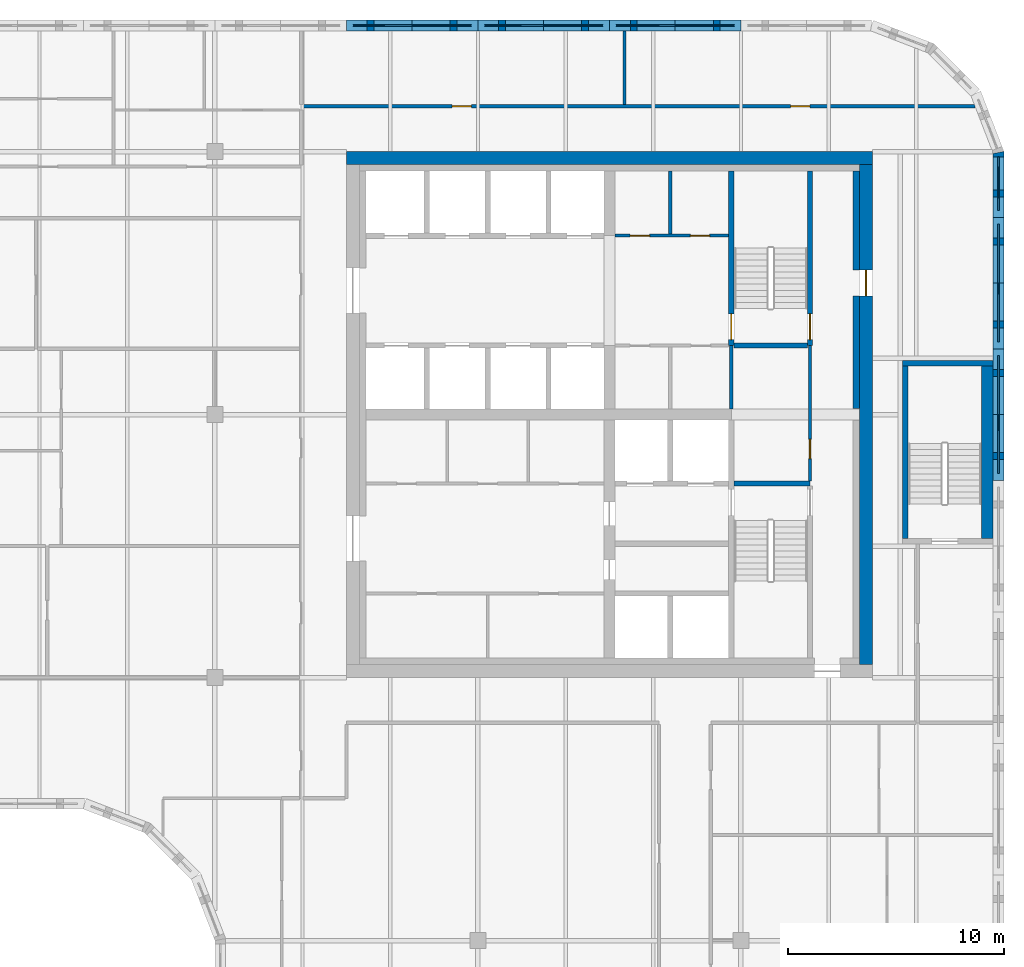
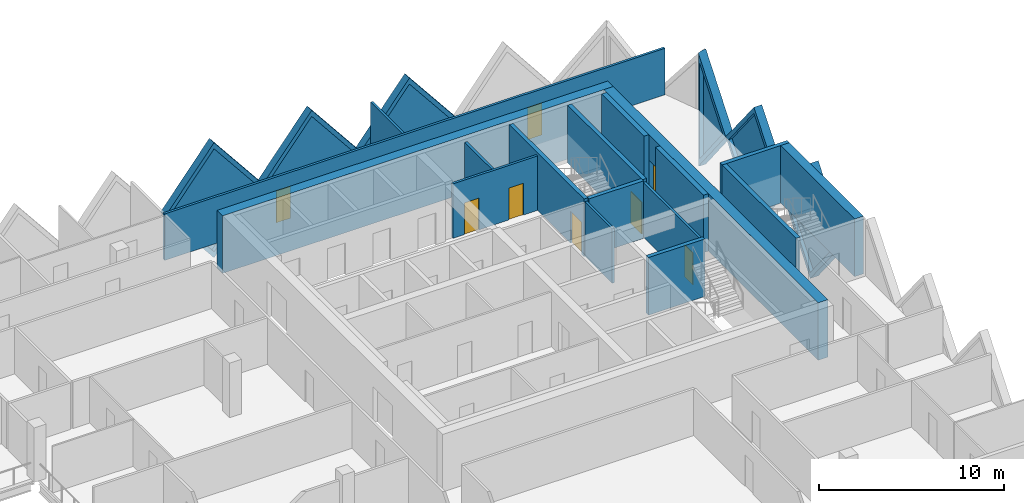
# One storey, part 9 of 11: 23 walls, 8 doors, 6 plates, 14 openings.
"""IFC4 building model written with IfcOpenShell, lengths in metres."""

from ifc_helpers import new_model, si_unit, direction, frame, frame_2d, origin, place, context, subcontext, project, spatial, polyline, rectangle, outline, extrude, faceted_brep, source, transform, mapped, material, layer, layer_set, type_object, element, fill, save


model = new_model("IFC4")

# Units and contexts
model_context = context("Model", 3, precision=1e-05, world=origin(), true_north=direction((0.0, 1.0)))
body_context = subcontext(model_context, "Body", "Model", "MODEL_VIEW")
ifc_project = project(units=[si_unit("LENGTHUNIT", "METRE"), si_unit("AREAUNIT", "SQUARE_METRE"), si_unit("VOLUMEUNIT", "CUBIC_METRE"), si_unit("PLANEANGLEUNIT", "RADIAN"), si_unit("MASSUNIT", "GRAM", prefix="KILO")], contexts=[model_context])

# Site, building, storey
site_placement = place(None, origin())
site = spatial("IfcSite", under=ifc_project, at=site_placement, CompositionType="ELEMENT")
building_placement = place(site_placement, origin())
building = spatial("IfcBuilding", under=site, at=building_placement, Name="Tessera Gate Towers", CompositionType="ELEMENT")
storey_placement = place(building_placement, frame((0.0, 0.0, 174.39990234375)))
storey = spatial("IfcBuildingStorey", under=building, at=storey_placement, Name="L43", CompositionType="ELEMENT", Elevation=174.39990234375)

# Wall
ifc_material_1 = material(Name="Concrete C40/50", Category="concrete")
ifc_layer_1 = layer(ifc_material_1, 0.25)
ifc_layer_set_1 = layer_set([ifc_layer_1], Name="CORE ENCLOSURE WALL 250")
wall_type_1 = type_object("IfcWallType", Name="CORE ENCLOSURE WALL 250", PredefinedType="SOLIDWALL", material=ifc_layer_set_1)
wall_1_placement = place(storey_placement, frame((48.47509765625, 33.39990234375, 0.0), z_axis=(0.0, 0.0, 1.0), x_axis=(1.0, 0.0, 0.0)))
element("IfcWall", 1, at=wall_1_placement, inside=storey, type_object=wall_type_1, Name="L43 shaft and stair enclosure wall", PredefinedType="SOLIDWALL", context=body_context, shape_type="SweptSolid", body=[
    extrude(rectangle(XDim=3.52490234375, YDim=0.25, at=frame_2d((1.762451171875, 0.0))), origin(), (0.0, 0.0, 1.0), 3.800048828125),
])

# Wall, opening, door
wall_2_placement = place(storey_placement, frame((48.35009765625, 47.89990234375, 0.0), z_axis=(0.0, 0.0, 1.0), x_axis=(0.0, -1.0, 0.0)))
wall_2 = element("IfcWall", 2, at=wall_2_placement, inside=storey, type_object=wall_type_1, Name="L43 shaft and stair enclosure wall", PredefinedType="SOLIDWALL", context=body_context, shape_type="SweptSolid", body=[
    extrude(rectangle(XDim=8.099853515625, YDim=0.25, at=frame_2d((4.0498046875, 0.0))), origin(), (0.0, 0.0, 1.0), 3.800048828125),
])
shared_shape_1 = source(origin(), body_context, "Body", "SweptSolid", [
    extrude(rectangle(XDim=1.199951171875, YDim=2.10009765625, at=frame_2d((0.60009765625, 1.050048828125))), frame((0.0, 0.135009765625, 0.0), z_axis=(0.0, -1.0, 0.0), x_axis=(1.0, 0.0, 0.0)), (0.0, 0.0, 1.0), 0.27001953125),
])
opening_1_placement = place(wall_2_placement, frame((6.625, 0.0, 0.0)))
opening_1 = element("IfcOpeningElement", 3, at=opening_1_placement, cuts=wall_2, Name="Opening SD-ST2-1", PredefinedType="OPENING", context=body_context, shape_type="MappedRepresentation", body=[
    mapped(shared_shape_1, transform((0.0, 0.0, 0.0), scale=1.0)),
])
ifc_material_2 = material(Name="Hollow steel fire door", Category="steel")
door_type_1 = type_object("IfcDoorType", Name="CORE DOOR SD 1200x2100", OperationType="NOTDEFINED", PredefinedType="DOOR", material=ifc_material_2)
shared_shape_2 = source(origin(), body_context, "Body", "SweptSolid", [
    extrude(rectangle(XDim=1.199951171875, YDim=2.10009765625, at=frame_2d((0.60009765625, 1.050048828125))), frame((0.0, 0.02490234375, 0.0), z_axis=(0.0, -1.0, 0.0), x_axis=(1.0, 0.0, 0.0)), (0.0, 0.0, 1.0), 0.050048828125),
])
door_1_placement = place(opening_1_placement, origin())
door_1 = element("IfcDoor", 4, at=door_1_placement, inside=storey, type_object=door_type_1, Name="Stair door", OperationType="SINGLE_SWING_RIGHT", OverallHeight=2.10009765625, OverallWidth=1.199951171875, PredefinedType="DOOR", context=body_context, shape_type="MappedRepresentation", body=[
    mapped(shared_shape_2, transform((0.0, 0.0, 0.0), scale=1.0)),
])
fill(opening_1, door_1)

wall_3_placement = place(storey_placement, frame((52.0, 39.800048828125, 0.0), z_axis=(0.0, 0.0, 1.0), x_axis=(0.0, 1.0, 0.0)))
wall_3 = element("IfcWall", 5, at=wall_3_placement, inside=storey, type_object=wall_type_1, Name="L43 shaft and stair enclosure wall", PredefinedType="SOLIDWALL", context=body_context, shape_type="SweptSolid", body=[
    extrude(rectangle(XDim=8.099853515625, YDim=0.25, at=frame_2d((4.0498046875, 0.0))), origin(), (0.0, 0.0, 1.0), 3.800048828125),
])
opening_2_placement = place(wall_3_placement, frame((0.27490234375, 0.0, 0.0)))
opening_2 = element("IfcOpeningElement", 6, at=opening_2_placement, cuts=wall_3, Name="Opening SD-ST2-2", PredefinedType="OPENING", context=body_context, shape_type="MappedRepresentation", body=[
    mapped(shared_shape_1, transform((0.0, 0.0, 0.0), scale=1.0)),
])
door_2_placement = place(opening_2_placement, origin())
door_2 = element("IfcDoor", 7, at=door_2_placement, inside=storey, type_object=door_type_1, Name="Stair door", OperationType="SINGLE_SWING_LEFT", OverallHeight=2.10009765625, OverallWidth=1.199951171875, PredefinedType="DOOR", context=body_context, shape_type="MappedRepresentation", body=[
    mapped(shared_shape_2, transform((0.0, 0.0, 0.0), scale=1.0)),
])
fill(opening_2, door_2)

# Walls
wall_4_placement = place(storey_placement, frame((48.47509765625, 39.800048828125, 0.0), z_axis=(0.0, 0.0, 1.0), x_axis=(1.0, 0.0, 0.0)))
element("IfcWall", 8, at=wall_4_placement, inside=storey, type_object=wall_type_1, Name="L43 shaft and stair enclosure wall", PredefinedType="SOLIDWALL", context=body_context, shape_type="SweptSolid", body=[
    extrude(rectangle(XDim=3.39990234375, YDim=0.25, at=frame_2d((1.699951171875, 0.0))), origin(), (0.0, 0.0, 1.0), 3.800048828125),
])
wall_5_placement = place(storey_placement, frame((56.425048828125, 30.85009765625, 0.0), z_axis=(0.0, 0.0, 1.0), x_axis=(0.0, 1.0, 0.0)))
element("IfcWall", 9, at=wall_5_placement, inside=storey, type_object=wall_type_1, Name="L43 ST5 enclosure wall", PredefinedType="SOLIDWALL", context=body_context, shape_type="SweptSolid", body=[
    extrude(rectangle(XDim=8.0, YDim=0.25, at=frame_2d((4.0, 0.0))), origin(), (0.0, 0.0, 1.0), 3.800048828125),
])
wall_6_placement = place(storey_placement, frame((56.300048828125, 38.97509765625, 0.0), z_axis=(0.0, 0.0, 1.0), x_axis=(1.0, 0.0, 0.0)))
element("IfcWall", 10, at=wall_6_placement, inside=storey, type_object=wall_type_1, Name="L43 ST5 enclosure wall", PredefinedType="SOLIDWALL", context=body_context, shape_type="SweptSolid", body=[
    extrude(rectangle(XDim=4.199951171875, YDim=0.25, at=frame_2d((2.10009765625, 0.0))), origin(), (0.0, 0.0, 1.0), 3.800048828125),
])
ifc_material_3 = material(Name="Concrete C40/50", Category="concrete")
ifc_layer_2 = layer(ifc_material_3, 0.550048828125)
ifc_layer_set_2 = layer_set([ifc_layer_2], Name="CORE ENCLOSURE WALL 550")
wall_type_2 = type_object("IfcWallType", Name="CORE ENCLOSURE WALL 550", PredefinedType="SOLIDWALL", material=ifc_layer_set_2)
wall_7_placement = place(storey_placement, frame((60.22509765625, 38.85009765625, 0.0), z_axis=(0.0, 0.0, 1.0), x_axis=(0.0, -1.0, 0.0)))
element("IfcWall", 11, at=wall_7_placement, inside=storey, type_object=wall_type_2, Name="L43 ST5 enclosure wall", PredefinedType="SOLIDWALL", context=body_context, shape_type="SweptSolid", body=[
    extrude(rectangle(XDim=8.0, YDim=0.550048828125, at=frame_2d((4.0, 0.0))), origin(), (0.0, 0.0, 1.0), 3.800048828125),
])
ifc_material_4 = material(Name="Concrete C50/60", Category="concrete")
ifc_layer_3 = layer(ifc_material_4, 0.60009765625)
ifc_layer_set_3 = layer_set([ifc_layer_3], Name="CORE SHEAR WALL 600 C50/60")
wall_type_3 = type_object("IfcWallType", Name="CORE SHEAR WALL 600 C50/60", PredefinedType="SHEAR", material=ifc_layer_set_3)
wall_8_placement = place(storey_placement, frame((30.5, 48.5, 0.0), z_axis=(0.0, 0.0, 1.0), x_axis=(1.0, 0.0, 0.0)))
element("IfcWall", 12, at=wall_8_placement, inside=storey, type_object=wall_type_3, Name="Core wall N L43", PredefinedType="SHEAR", context=body_context, shape_type="SweptSolid", body=[
    extrude(rectangle(XDim=24.39990234375, YDim=0.60009765625, at=frame_2d((12.199951171875, 0.0))), origin(), (0.0, 0.0, 1.0), 3.800048828125),
])

# Wall, opening, door
wall_9_placement = place(storey_placement, frame((54.60009765625, 48.199951171875, 0.0), z_axis=(0.0, 0.0, 1.0), x_axis=(0.0, -1.0, 0.0)))
wall_9 = element("IfcWall", 13, at=wall_9_placement, inside=storey, type_object=wall_type_3, Name="Core wall E L43", PredefinedType="SHEAR", context=body_context, shape_type="SweptSolid", body=[
    extrude(rectangle(XDim=23.199951171875, YDim=0.60009765625, at=frame_2d((11.60009765625, 0.0))), origin(), (0.0, 0.0, 1.0), 3.800048828125),
])
shared_shape_3 = source(origin(), body_context, "Body", "SweptSolid", [
    extrude(rectangle(XDim=1.199951171875, YDim=2.10009765625, at=frame_2d((0.60009765625, 1.050048828125))), frame((0.0, 0.31005859375, 0.0), z_axis=(0.0, -1.0, 0.0), x_axis=(1.0, 0.0, 0.0)), (0.0, 0.0, 1.0), 0.6201171875),
])
opening_3_placement = place(wall_9_placement, frame((4.89990234375, 0.0, 0.0)))
opening_3 = element("IfcOpeningElement", 14, at=opening_3_placement, cuts=wall_9, Name="Opening ED-T1-27-04", PredefinedType="OPENING", context=body_context, shape_type="MappedRepresentation", body=[
    mapped(shared_shape_3, transform((0.0, 0.0, 0.0), scale=1.0)),
])
ifc_material_5 = material(Name="Hollow steel fire door", Category="steel")
door_type_2 = type_object("IfcDoorType", Name="CORE DOOR ED 1200x2100", OperationType="NOTDEFINED", PredefinedType="DOOR", material=ifc_material_5)
door_3_placement = place(opening_3_placement, origin())
door_3 = element("IfcDoor", 15, at=door_3_placement, inside=storey, type_object=door_type_2, Name="Core exit door", OperationType="SINGLE_SWING_LEFT", OverallHeight=2.10009765625, OverallWidth=1.199951171875, PredefinedType="DOOR", context=body_context, shape_type="MappedRepresentation", body=[
    mapped(shared_shape_2, transform((0.0, 0.0, 0.0), scale=1.0)),
])
fill(opening_3, door_3)

# Walls
ifc_material_6 = material(Name="Concrete C50/60", Category="concrete")
ifc_layer_4 = layer(ifc_material_6, 0.300048828125)
ifc_layer_set_4 = layer_set([ifc_layer_4], Name="CORE WALL THICKENING 300")
wall_type_4 = type_object("IfcWallType", Name="CORE WALL THICKENING 300", PredefinedType="SOLIDWALL", material=ifc_layer_set_4)
wall_10_placement = place(storey_placement, frame((54.14990234375, 36.8798828125, 0.0), z_axis=(0.0, 0.0, 1.0), x_axis=(0.0, 1.0, 0.0)))
element("IfcWall", 16, at=wall_10_placement, inside=storey, type_object=wall_type_4, Name="Core wall thickening E L43", PredefinedType="SOLIDWALL", context=body_context, shape_type="SweptSolid", body=[
    extrude(rectangle(XDim=5.22021484375, YDim=0.300048828125, at=frame_2d((2.610107421875, 0.0))), origin(), (0.0, 0.0, 1.0), 3.800048828125),
])
wall_11_placement = place(storey_placement, frame((54.14990234375, 43.300048828125, 0.0), z_axis=(0.0, 0.0, 1.0), x_axis=(0.0, 1.0, 0.0)))
element("IfcWall", 17, at=wall_11_placement, inside=storey, type_object=wall_type_4, Name="Core wall thickening E L43", PredefinedType="SOLIDWALL", context=body_context, shape_type="SweptSolid", body=[
    extrude(rectangle(XDim=4.599853515625, YDim=0.300048828125, at=frame_2d((2.2998046875, 0.0))), origin(), (0.0, 0.0, 1.0), 3.800048828125),
])

# Wall, openings, doors
ifc_material_7 = material(Name="Gypsum board on steel studs, mineral wool", Category="steel")
ifc_layer_5 = layer(ifc_material_7, 0.14990234375)
ifc_layer_set_5 = layer_set([ifc_layer_5], Name="CORRIDOR WALL 150")
wall_type_5 = type_object("IfcWallType", Name="CORRIDOR WALL 150", PredefinedType="PARTITIONING", material=ifc_layer_set_5)
wall_12_placement = place(storey_placement, frame((28.39990234375, 50.89990234375, 0.0), z_axis=(0.0, 0.0, 1.0), x_axis=(1.0, 0.0, 0.0)))
wall_12 = element("IfcWall", 18, at=wall_12_placement, inside=storey, type_object=wall_type_5, Name="T1-L43-PW-047", PredefinedType="PARTITIONING", context=body_context, shape_type="SweptSolid", body=[
    extrude(rectangle(XDim=31.254150390625, YDim=0.14990234375, at=frame_2d((15.626953125, 0.0))), origin(), (0.0, 0.0, 1.0), 3.067138671875),
])
shared_shape_4 = source(origin(), body_context, "Body", "SweptSolid", [
    extrude(rectangle(XDim=0.89990234375, YDim=2.10009765625, at=frame_2d((0.449951171875, 1.050048828125))), frame((0.0, 0.0849609375, 0.0), z_axis=(0.0, -1.0, 0.0), x_axis=(1.0, 0.0, 0.0)), (0.0, 0.0, 1.0), 0.169921875),
])
opening_4_placement = place(wall_12_placement, frame((7.0, 0.0, 0.0)))
opening_4 = element("IfcOpeningElement", 19, at=opening_4_placement, cuts=wall_12, Name="Opening D890FD60-A15-11", PredefinedType="OPENING", context=body_context, shape_type="MappedRepresentation", body=[
    mapped(shared_shape_4, transform((0.0, 0.0, 0.0), scale=1.0)),
])
opening_5_placement = place(wall_12_placement, frame((22.699951171875, 0.0, 0.0)))
opening_5 = element("IfcOpeningElement", 20, at=opening_5_placement, cuts=wall_12, Name="Opening D890FD60-A15-12", PredefinedType="OPENING", context=body_context, shape_type="MappedRepresentation", body=[
    mapped(shared_shape_4, transform((0.0, 0.0, 0.0), scale=1.0)),
])
ifc_material_8 = material(Name="Timber door leaf in steel frame", Category="steel")
door_type_3 = type_object("IfcDoorType", Name="CORRIDOR DOOR 900 FD60", OperationType="NOTDEFINED", PredefinedType="DOOR", material=ifc_material_8)
shared_shape_5 = source(origin(), body_context, "Body", "SweptSolid", [
    extrude(rectangle(XDim=0.89990234375, YDim=2.10009765625, at=frame_2d((0.449951171875, 1.050048828125))), frame((0.0, 0.02490234375, 0.0), z_axis=(0.0, -1.0, 0.0), x_axis=(1.0, 0.0, 0.0)), (0.0, 0.0, 1.0), 0.050048828125),
])
door_4_placement = place(opening_4_placement, origin())
door_4 = element("IfcDoor", 21, at=door_4_placement, inside=storey, type_object=door_type_3, Name="T1-L43-PD-028", OperationType="SINGLE_SWING_LEFT", OverallHeight=2.10009765625, OverallWidth=0.89990234375, PredefinedType="DOOR", context=body_context, shape_type="MappedRepresentation", body=[
    mapped(shared_shape_5, transform((0.0, 0.0, 0.0), scale=1.0)),
])
fill(opening_4, door_4)
door_5_placement = place(opening_5_placement, origin())
door_5 = element("IfcDoor", 22, at=door_5_placement, inside=storey, type_object=door_type_3, Name="T1-L43-PD-029", OperationType="SINGLE_SWING_LEFT", OverallHeight=2.10009765625, OverallWidth=0.89990234375, PredefinedType="DOOR", context=body_context, shape_type="MappedRepresentation", body=[
    mapped(shared_shape_5, transform((0.0, 0.0, 0.0), scale=1.0)),
])
fill(opening_5, door_5)

# Wall, opening, door
ifc_material_9 = material(Name="Gypsum board on steel studs", Category="steel")
ifc_layer_6 = layer(ifc_material_9, 0.14990234375)
ifc_layer_set_6 = layer_set([ifc_layer_6], Name="SERVICE ROOM WALL 150")
wall_type_6 = type_object("IfcWallType", Name="SERVICE ROOM WALL 150", PredefinedType="PARTITIONING", material=ifc_layer_set_6)
wall_13_placement = place(storey_placement, frame((52.0, 33.52490234375, 0.0), z_axis=(0.0, 0.0, 1.0), x_axis=(0.0, 1.0, 0.0)))
wall_13 = element("IfcWall", 23, at=wall_13_placement, inside=storey, type_object=wall_type_6, Name="L43 service room wall", PredefinedType="PARTITIONING", context=body_context, shape_type="SweptSolid", body=[
    extrude(rectangle(XDim=6.275146484375, YDim=0.14990234375, at=frame_2d((3.1376953125, 0.0))), origin(), (0.0, 0.0, 1.0), 3.60009765625),
])
opening_6_placement = place(wall_13_placement, frame((1.02490234375, 0.0, 0.0)))
opening_6 = element("IfcOpeningElement", 24, at=opening_6_placement, cuts=wall_13, Name="Opening RD-T1-27-12", PredefinedType="OPENING", context=body_context, shape_type="MappedRepresentation", body=[
    mapped(shared_shape_4, transform((0.0, 0.0, 0.0), scale=1.0)),
])
ifc_material_10 = material(Name="Hollow steel fire door", Category="steel")
door_type_4 = type_object("IfcDoorType", Name="CORE DOOR RD 900x2100", OperationType="NOTDEFINED", PredefinedType="DOOR", material=ifc_material_10)
door_6_placement = place(opening_6_placement, origin())
door_6 = element("IfcDoor", 25, at=door_6_placement, inside=storey, type_object=door_type_4, Name="Core room door", OperationType="SINGLE_SWING_LEFT", OverallHeight=2.10009765625, OverallWidth=0.89990234375, PredefinedType="DOOR", context=body_context, shape_type="MappedRepresentation", body=[
    mapped(shared_shape_5, transform((0.0, 0.0, 0.0), scale=1.0)),
])
fill(opening_6, door_6)

# Wall, openings, doors
wall_14_placement = place(storey_placement, frame((42.949951171875, 44.89990234375, 0.0), z_axis=(0.0, 0.0, 1.0), x_axis=(1.0, 0.0, 0.0)))
wall_14 = element("IfcWall", 26, at=wall_14_placement, inside=storey, type_object=wall_type_6, Name="L43 service room wall", PredefinedType="PARTITIONING", context=body_context, shape_type="SweptSolid", body=[
    extrude(rectangle(XDim=5.275146484375, YDim=0.14990234375, at=frame_2d((2.6376953125, 0.0))), origin(), (0.0, 0.0, 1.0), 3.60009765625),
])
opening_7_placement = place(wall_14_placement, frame((0.71240234375, 0.0, 0.0)))
opening_7 = element("IfcOpeningElement", 27, at=opening_7_placement, cuts=wall_14, Name="Opening RD-T1-27-15", PredefinedType="OPENING", context=body_context, shape_type="MappedRepresentation", body=[
    mapped(shared_shape_4, transform((0.0, 0.0, 0.0), scale=1.0)),
])
opening_8_placement = place(wall_14_placement, frame((3.5, 0.0, 0.0)))
opening_8 = element("IfcOpeningElement", 28, at=opening_8_placement, cuts=wall_14, Name="Opening RD-T1-27-16", PredefinedType="OPENING", context=body_context, shape_type="MappedRepresentation", body=[
    mapped(shared_shape_4, transform((0.0, 0.0, 0.0), scale=1.0)),
])
door_7_placement = place(opening_7_placement, origin())
door_7 = element("IfcDoor", 29, at=door_7_placement, inside=storey, type_object=door_type_4, Name="Core room door", OperationType="SINGLE_SWING_LEFT", OverallHeight=2.10009765625, OverallWidth=0.89990234375, PredefinedType="DOOR", context=body_context, shape_type="MappedRepresentation", body=[
    mapped(shared_shape_5, transform((0.0, 0.0, 0.0), scale=1.0)),
])
fill(opening_7, door_7)
door_8_placement = place(opening_8_placement, origin())
door_8 = element("IfcDoor", 30, at=door_8_placement, inside=storey, type_object=door_type_4, Name="Core room door", OperationType="SINGLE_SWING_RIGHT", OverallHeight=2.10009765625, OverallWidth=0.89990234375, PredefinedType="DOOR", context=body_context, shape_type="MappedRepresentation", body=[
    mapped(shared_shape_5, transform((0.0, 0.0, 0.0), scale=1.0)),
])
fill(opening_8, door_8)

# Walls
wall_15_placement = place(storey_placement, frame((48.35009765625, 36.85009765625, 0.0), z_axis=(0.0, 0.0, 1.0), x_axis=(0.0, 1.0, 0.0)))
element("IfcWall", 31, at=wall_15_placement, inside=storey, type_object=wall_type_6, Name="L43 service room wall", PredefinedType="PARTITIONING", context=body_context, shape_type="SweptSolid", body=[
    extrude(rectangle(XDim=2.949951171875, YDim=0.14990234375, at=frame_2d((1.47509765625, 0.0))), origin(), (0.0, 0.0, 1.0), 3.60009765625),
])
wall_16_placement = place(storey_placement, frame((45.52490234375, 44.97509765625, 0.0), z_axis=(0.0, 0.0, 1.0), x_axis=(0.0, 1.0, 0.0)))
element("IfcWall", 32, at=wall_16_placement, inside=storey, type_object=wall_type_6, Name="L43 service room wall", PredefinedType="PARTITIONING", context=body_context, shape_type="SweptSolid", body=[
    extrude(rectangle(XDim=2.9248046875, YDim=0.14990234375, at=frame_2d((1.46240234375, 0.0))), origin(), (0.0, 0.0, 1.0), 3.60009765625),
])
ifc_material_11 = material(Name="Gypsum board on steel studs, mineral wool", Category="steel")
ifc_layer_7 = layer(ifc_material_11, 0.14990234375)
ifc_layer_set_7 = layer_set([ifc_layer_7], Name="TENANCY WALL 150")
wall_type_7 = type_object("IfcWallType", Name="TENANCY WALL 150", PredefinedType="PARTITIONING", material=ifc_layer_set_7)
wall_17_placement = place(storey_placement, frame((43.39990234375, 50.97607421875, 0.0), z_axis=(0.0, 0.0, 1.0), x_axis=(0.0, 1.0, 0.0)))
element("IfcWall", 33, at=wall_17_placement, inside=storey, type_object=wall_type_7, Name="T1-L43-PW-049", PredefinedType="PARTITIONING", context=body_context, shape_type="SweptSolid", body=[
    extrude(rectangle(XDim=3.423828125, YDim=0.14990234375, at=frame_2d((1.7119140625, 0.0))), origin(), (0.0, 0.0, 1.0), 3.067138671875),
])

# Wall, opening, plate
ifc_material_12 = material(Name="Precast concrete C60/75 white", Category="concrete")
ifc_layer_8 = layer(ifc_material_12, 0.5)
ifc_layer_set_8 = layer_set([ifc_layer_8], Name="TS1 tessera")
wall_type_8 = type_object("IfcWallType", Name="TS1 tessera", PredefinedType="SOLIDWALL", material=ifc_layer_set_8)
shared_shape_6 = source(origin(), body_context, "Body", "Brep", [
    faceted_brep([(3.050048828125, -0.25, 0.0), (6.099853515625, -0.25, 3.799560546875), (6.099853515625, -0.25, 3.800048828125), (3.050048828125, -0.25, 7.599853515625), (0.0, -0.25, 3.7998046875), (0.0, 0.25, 3.7998046875), (3.050048828125, 0.25, 7.599853515625), (6.099853515625, 0.25, 3.800048828125), (6.099853515625, 0.25, 3.799560546875), (3.050048828125, 0.25, 0.0)], [[[0, 1, 2, 3, 4]], [[5, 6, 7, 8, 9]], [[9, 8, 1, 0]], [[7, 6, 3, 2]], [[6, 5, 4, 3]], [[5, 9, 0, 4]], [[1, 8, 7, 2]]]),
])
wall_18_placement = place(storey_placement, frame((60.75, 33.550048828125, -3.7998046875), z_axis=(0.0, 0.0, 1.0), x_axis=(0.0, 1.0, 0.0)))
wall_18 = element("IfcWall", 34, at=wall_18_placement, inside=storey, type_object=wall_type_8, Name="Precast tessera T1 TS1-0744", PredefinedType="SOLIDWALL", context=body_context, shape_type="MappedRepresentation", body=[
    mapped(shared_shape_6, transform((0.0, 0.0, 0.0), scale=1.0)),
])
shared_shape_7 = source(origin(), body_context, "Body", "SweptSolid", [
    extrude(outline(polyline([(3.050048828125, 0.3994140625), (5.779541015625, 3.7998046875), (3.050048828125, 7.200439453125), (0.320556640625, 3.7998046875), (3.050048828125, 0.3994140625)])), frame((0.0, 0.260009765625, 0.0), z_axis=(0.0, -1.0, 0.0), x_axis=(1.0, 0.0, 0.0)), (0.0, 0.0, 1.0), 0.52001953125),
])
opening_9_placement = place(wall_18_placement, origin())
opening_9 = element("IfcOpeningElement", 35, at=opening_9_placement, cuts=wall_18, Name="Opening T1-PL2-1516", PredefinedType="OPENING", context=body_context, shape_type="MappedRepresentation", body=[
    mapped(shared_shape_7, transform((0.0, 0.0, 0.0), scale=1.0)),
])
ifc_material_13 = material(Name="Low-e laminated glass", Category="glass")
ifc_layer_9 = layer(ifc_material_13, 0.06005859375)
ifc_layer_set_9 = layer_set([ifc_layer_9], Name="PL2 rhombic pane")
plate_type = type_object("IfcPlateType", Name="PL2 rhombic pane", PredefinedType="SHEET", material=ifc_layer_set_9)
shared_shape_8 = source(origin(), body_context, "Body", "SweptSolid", [
    extrude(outline(polyline([(3.050048828125, 0.3994140625), (5.779541015625, 3.7998046875), (3.050048828125, 7.200439453125), (0.320556640625, 3.7998046875), (3.050048828125, 0.3994140625)])), frame((0.0, 0.030029296875, 0.0), z_axis=(0.0, -1.0, 0.0), x_axis=(1.0, 0.0, 0.0)), (0.0, 0.0, 1.0), 0.06005859375),
])
plate_1_placement = place(opening_9_placement, origin())
plate_1 = element("IfcPlate", 36, at=plate_1_placement, inside=storey, type_object=plate_type, Name="Glass pane T1 PL2-1516", PredefinedType="SHEET", context=body_context, shape_type="MappedRepresentation", body=[
    mapped(shared_shape_8, transform((0.0, 0.0, 0.0), scale=1.0)),
])
fill(opening_9, plate_1)

wall_19_placement = place(storey_placement, frame((42.699951171875, 54.64990234375, -3.7998046875), z_axis=(0.0, 0.0, 1.0), x_axis=(-1.0, 0.0, 0.0)))
wall_19 = element("IfcWall", 37, at=wall_19_placement, inside=storey, type_object=wall_type_8, Name="Precast tessera T1 TS1-0748", PredefinedType="SOLIDWALL", context=body_context, shape_type="MappedRepresentation", body=[
    mapped(shared_shape_6, transform((0.0, 0.0, 0.0), scale=1.0)),
])
opening_10_placement = place(wall_19_placement, origin())
opening_10 = element("IfcOpeningElement", 38, at=opening_10_placement, cuts=wall_19, Name="Opening T1-PL2-1524", PredefinedType="OPENING", context=body_context, shape_type="MappedRepresentation", body=[
    mapped(shared_shape_7, transform((0.0, 0.0, 0.0), scale=1.0)),
])
plate_2_placement = place(opening_10_placement, origin())
plate_2 = element("IfcPlate", 39, at=plate_2_placement, inside=storey, type_object=plate_type, Name="Glass pane T1 PL2-1524", PredefinedType="SHEET", context=body_context, shape_type="MappedRepresentation", body=[
    mapped(shared_shape_8, transform((0.0, 0.0, 0.0), scale=1.0)),
])
fill(opening_10, plate_2)

shared_shape_9 = source(origin(), body_context, "Body", "SweptSolid", [
    extrude(outline(polyline([(3.050048828125, 0.0), (6.10009765625, 3.7998046875), (3.050048828125, 7.599853515625), (0.0, 3.7998046875), (3.050048828125, 0.0)])), frame((0.0, 0.25, 0.0), z_axis=(0.0, -1.0, 0.0), x_axis=(1.0, 0.0, 0.0)), (0.0, 0.0, 1.0), 0.5),
])
wall_20_placement = place(storey_placement, frame((60.75, 39.64990234375, -3.7998046875), z_axis=(0.0, 0.0, 1.0), x_axis=(0.0, 1.0, 0.0)))
wall_20 = element("IfcWall", 40, at=wall_20_placement, inside=storey, type_object=wall_type_8, Name="Precast tessera T1 TS1-0745", PredefinedType="SOLIDWALL", context=body_context, shape_type="MappedRepresentation", body=[
    mapped(shared_shape_9, transform((0.0, 0.0, 0.0), scale=1.0)),
])
opening_11_placement = place(wall_20_placement, origin())
opening_11 = element("IfcOpeningElement", 41, at=opening_11_placement, cuts=wall_20, Name="Opening T1-PL2-1517", PredefinedType="OPENING", context=body_context, shape_type="MappedRepresentation", body=[
    mapped(shared_shape_7, transform((0.0, 0.0, 0.0), scale=1.0)),
])
plate_3_placement = place(opening_11_placement, origin())
plate_3 = element("IfcPlate", 42, at=plate_3_placement, inside=storey, type_object=plate_type, Name="Glass pane T1 PL2-1517", PredefinedType="SHEET", context=body_context, shape_type="MappedRepresentation", body=[
    mapped(shared_shape_8, transform((0.0, 0.0, 0.0), scale=1.0)),
])
fill(opening_11, plate_3)

wall_21_placement = place(storey_placement, frame((48.800048828125, 54.64990234375, -3.7998046875), z_axis=(0.0, 0.0, 1.0), x_axis=(-1.0, 0.0, 0.0)))
wall_21 = element("IfcWall", 43, at=wall_21_placement, inside=storey, type_object=wall_type_8, Name="Precast tessera T1 TS1-0747", PredefinedType="SOLIDWALL", context=body_context, shape_type="MappedRepresentation", body=[
    mapped(shared_shape_9, transform((0.0, 0.0, 0.0), scale=1.0)),
])
opening_12_placement = place(wall_21_placement, origin())
opening_12 = element("IfcOpeningElement", 44, at=opening_12_placement, cuts=wall_21, Name="Opening T1-PL2-1523", PredefinedType="OPENING", context=body_context, shape_type="MappedRepresentation", body=[
    mapped(shared_shape_7, transform((0.0, 0.0, 0.0), scale=1.0)),
])
plate_4_placement = place(opening_12_placement, origin())
plate_4 = element("IfcPlate", 45, at=plate_4_placement, inside=storey, type_object=plate_type, Name="Glass pane T1 PL2-1523", PredefinedType="SHEET", context=body_context, shape_type="MappedRepresentation", body=[
    mapped(shared_shape_8, transform((0.0, 0.0, 0.0), scale=1.0)),
])
fill(opening_12, plate_4)

wall_22_placement = place(storey_placement, frame((36.60009765625, 54.64990234375, -3.7998046875), z_axis=(0.0, 0.0, 1.0), x_axis=(-1.0, 0.0, 0.0)))
wall_22 = element("IfcWall", 46, at=wall_22_placement, inside=storey, type_object=wall_type_8, Name="Precast tessera T1 TS1-0749", PredefinedType="SOLIDWALL", context=body_context, shape_type="MappedRepresentation", body=[
    mapped(shared_shape_9, transform((0.0, 0.0, 0.0), scale=1.0)),
])
opening_13_placement = place(wall_22_placement, origin())
opening_13 = element("IfcOpeningElement", 47, at=opening_13_placement, cuts=wall_22, Name="Opening T1-PL2-1525", PredefinedType="OPENING", context=body_context, shape_type="MappedRepresentation", body=[
    mapped(shared_shape_7, transform((0.0, 0.0, 0.0), scale=1.0)),
])
plate_5_placement = place(opening_13_placement, origin())
plate_5 = element("IfcPlate", 48, at=plate_5_placement, inside=storey, type_object=plate_type, Name="Glass pane T1 PL2-1525", PredefinedType="SHEET", context=body_context, shape_type="MappedRepresentation", body=[
    mapped(shared_shape_8, transform((0.0, 0.0, 0.0), scale=1.0)),
])
fill(opening_13, plate_5)

ifc_material_14 = material(Name="Precast concrete C60/75 white", Category="concrete")
ifc_layer_10 = layer(ifc_material_14, 0.5)
ifc_layer_set_10 = layer_set([ifc_layer_10], Name="TS3 corner tessera")
wall_type_9 = type_object("IfcWallType", Name="TS3 corner tessera", PredefinedType="SOLIDWALL", material=ifc_layer_set_10)
shared_shape_10 = source(origin(), body_context, "Body", "Brep", [
    faceted_brep([(3.00341796875, -0.25, 0.0), (3.050048828125, -0.25, 0.06005859375), (3.050048828125, -0.25, 7.539794921875), (3.00341796875, -0.25, 7.599853515625), (0.0, -0.25, 3.7998046875), (0.0, 0.25, 3.7998046875), (2.956787109375, 0.25, 7.541015625), (2.956787109375, 0.25, 0.058837890625), (3.00341796875, 0.000244140625, 0.0), (3.00341796875, 0.000244140625, 7.599853515625)], [[[0, 1, 2, 3, 4]], [[5, 6, 7]], [[1, 0, 8]], [[9, 3, 2]], [[6, 5, 4, 3, 9]], [[5, 7, 8, 0, 4]], [[1, 8, 7, 6, 9, 2]]]),
])
wall_23_placement = place(storey_placement, frame((60.75, 45.75, -3.7998046875), z_axis=(0.0, 0.0, 1.0), x_axis=(0.0, 1.0, 0.0)))
wall_23 = element("IfcWall", 49, at=wall_23_placement, inside=storey, type_object=wall_type_9, Name="Precast corner tessera T1 TS3-0989", PredefinedType="SOLIDWALL", context=body_context, shape_type="MappedRepresentation", body=[
    mapped(shared_shape_10, transform((0.0, 0.0, 0.0), scale=1.0)),
])
shared_shape_11 = source(origin(), body_context, "Body", "SweptSolid", [
    extrude(outline(polyline([(2.803466796875, 6.943603515625), (0.318603515625, 3.7998046875), (2.803466796875, 0.656005859375), (2.803466796875, 6.943603515625)])), frame((0.0, 0.260009765625, 0.0), z_axis=(0.0, -1.0, 0.0), x_axis=(1.0, 0.0, 0.0)), (0.0, 0.0, 1.0), 0.52001953125),
])
opening_14_placement = place(wall_23_placement, origin())
opening_14 = element("IfcOpeningElement", 50, at=opening_14_placement, cuts=wall_23, Name="Opening T1-PL2-1518", PredefinedType="OPENING", context=body_context, shape_type="MappedRepresentation", body=[
    mapped(shared_shape_11, transform((0.0, 0.0, 0.0), scale=1.0)),
])
shared_shape_12 = source(origin(), body_context, "Body", "SweptSolid", [
    extrude(outline(polyline([(2.803466796875, 6.943603515625), (0.318603515625, 3.7998046875), (2.803466796875, 0.656005859375), (2.803466796875, 6.943603515625)])), frame((0.0, 0.030029296875, 0.0), z_axis=(0.0, -1.0, 0.0), x_axis=(1.0, 0.0, 0.0)), (0.0, 0.0, 1.0), 0.06005859375),
])
plate_6_placement = place(opening_14_placement, origin())
plate_6 = element("IfcPlate", 51, at=plate_6_placement, inside=storey, type_object=plate_type, Name="Glass pane T1 PL2-1518", PredefinedType="SHEET", context=body_context, shape_type="MappedRepresentation", body=[
    mapped(shared_shape_12, transform((0.0, 0.0, 0.0), scale=1.0)),
])
fill(opening_14, plate_6)

save(model, "model.ifc")
